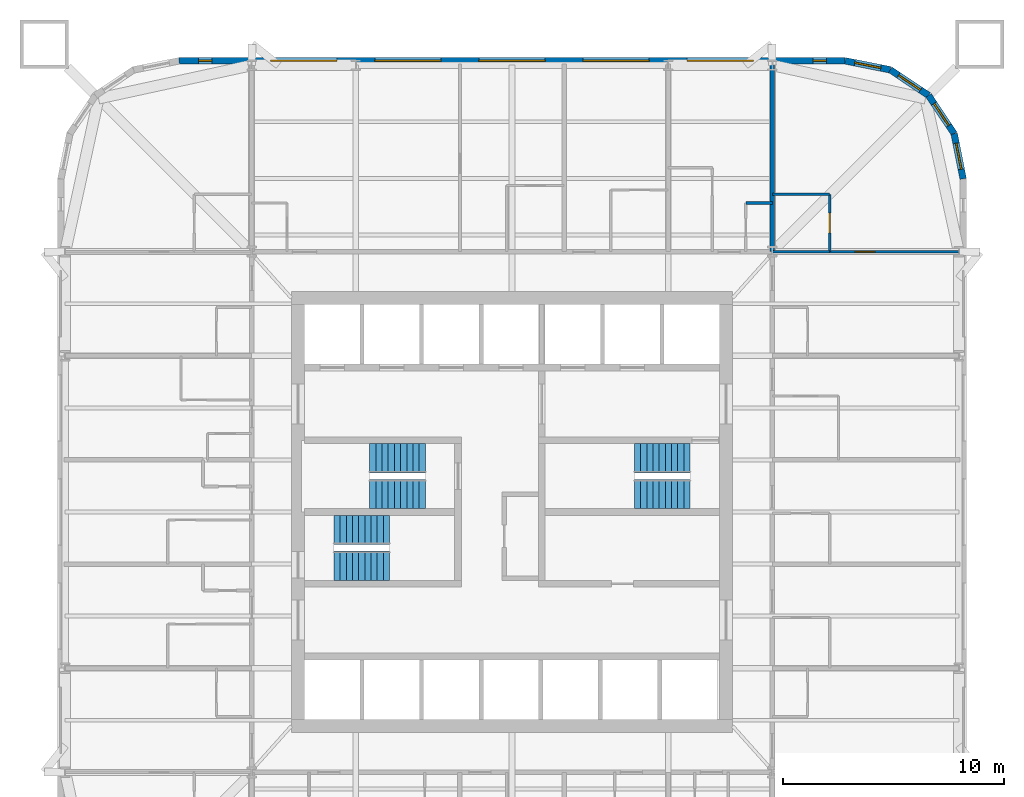
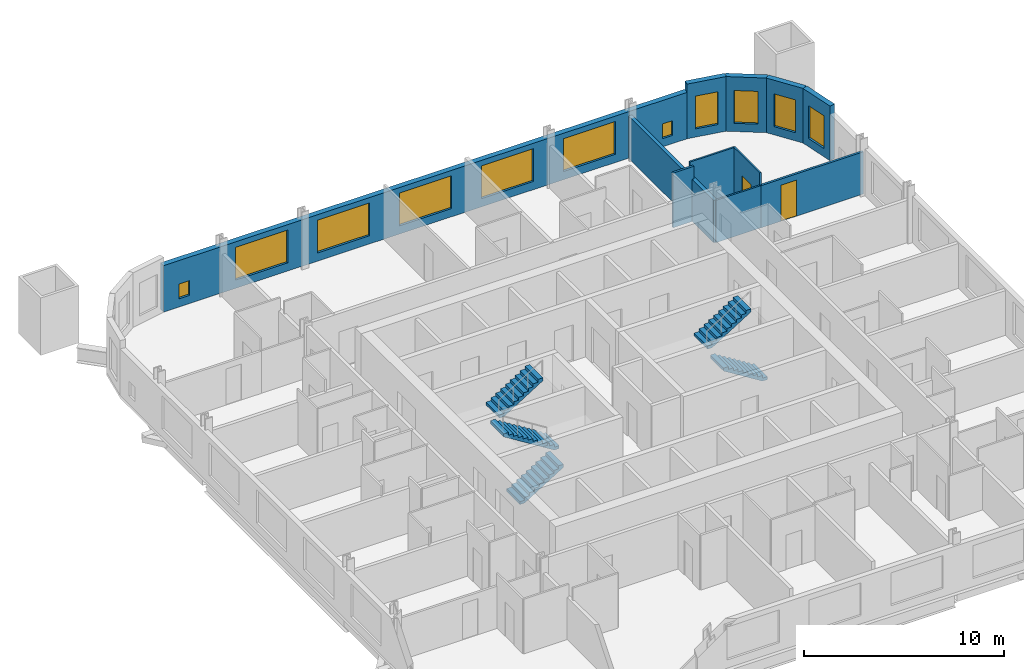
# One storey, part 8 of 9: 11 walls, 11 windows, 6 stair flights, 2 doors, 13 openings, 3 elements without a shape of their own.
"""IFC4 building model written with IfcOpenShell, lengths in metres."""

from ifc_helpers import new_model, si_unit, direction, frame, frame_2d, origin, place, context, subcontext, project, spatial, polyline, rectangle, outline, extrude, material, layer, layer_set, type_object, element, fill, aggregate, save


model = new_model("IFC4")

# Units and contexts
model_context = context("Model", 3, precision=1e-05, world=origin(), true_north=direction((0.0, 1.0)))
body_context = subcontext(model_context, "Body", "Model", "MODEL_VIEW")
ifc_project = project(units=[si_unit("LENGTHUNIT", "METRE"), si_unit("AREAUNIT", "SQUARE_METRE"), si_unit("VOLUMEUNIT", "CUBIC_METRE"), si_unit("PLANEANGLEUNIT", "RADIAN"), si_unit("MASSUNIT", "GRAM", prefix="KILO")], contexts=[model_context])

# Site, building, storey
site_placement = place(None, origin())
site = spatial("IfcSite", under=ifc_project, at=site_placement, CompositionType="ELEMENT")
building_placement = place(site_placement, origin())
building = spatial("IfcBuilding", under=site, at=building_placement, Name="Turquesa Mirador Hotel Tower", CompositionType="ELEMENT")
storey_placement = place(building_placement, frame((0.0, 0.0, 142.39990234375)))
storey = spatial("IfcBuildingStorey", under=building, at=storey_placement, Name="L38", CompositionType="ELEMENT", Elevation=142.39990234375)

# Walls
ifc_material_1 = material(Name="Gypsum board on steel studs", Category="steel")
ifc_layer_1 = layer(ifc_material_1, 0.10009765625)
ifc_layer_set_1 = layer_set([ifc_layer_1], Name="BATHROOM WALL 100")
wall_type_1 = type_object("IfcWallType", Name="BATHROOM WALL 100", PredefinedType="PARTITIONING", material=ifc_layer_set_1)
wall_1_placement = place(storey_placement, frame((66.800048828125, 56.800048828125, 0.0), z_axis=(0.0, 0.0, 1.0), x_axis=(1.0, 0.0, 0.0)))
element("IfcWall", 1, at=wall_1_placement, inside=storey, type_object=wall_type_1, Name="Partition L38 027", PredefinedType="PARTITIONING", context=body_context, shape_type="SweptSolid", body=[
    extrude(rectangle(XDim=2.599853515625, YDim=0.10009765625, at=frame_2d((1.2998046875, 0.0))), origin(), (0.0, 0.0, 1.0), 2.5732421875),
])
wall_2_placement = place(storey_placement, frame((66.800048828125, 59.39990234375, 0.0), z_axis=(0.0, 0.0, 1.0), x_axis=(1.0, 0.0, 0.0)))
element("IfcWall", 2, at=wall_2_placement, inside=storey, type_object=wall_type_1, Name="Partition L38 034", PredefinedType="PARTITIONING", context=body_context, shape_type="SweptSolid", body=[
    extrude(rectangle(XDim=2.599853515625, YDim=0.10009765625, at=frame_2d((1.2998046875, 0.0))), origin(), (0.0, 0.0, 1.0), 3.330078125),
])

# Wall, opening, door
wall_3_placement = place(storey_placement, frame((69.39990234375, 56.800048828125, 0.0), z_axis=(0.0, 0.0, 1.0), x_axis=(0.0, 1.0, 0.0)))
wall_3 = element("IfcWall", 3, at=wall_3_placement, inside=storey, type_object=wall_type_1, Name="Partition L38 077", PredefinedType="PARTITIONING", context=body_context, shape_type="SweptSolid", body=[
    extrude(rectangle(XDim=2.599853515625, YDim=0.10009765625, at=frame_2d((1.2998046875, 0.0))), origin(), (0.0, 0.0, 1.0), 3.330078125),
])
opening_1_placement = place(wall_3_placement, frame((0.85009765625, 0.0, 0.0)))
opening_1 = element("IfcOpeningElement", 4, at=opening_1_placement, cuts=wall_3, Name="Opening D02", PredefinedType="OPENING", context=body_context, shape_type="SweptSolid", body=[
    extrude(rectangle(XDim=0.89990234375, YDim=2.10009765625, at=frame_2d((0.449951171875, 1.050048828125))), frame((0.0, 0.06005859375, 0.0), z_axis=(0.0, -1.0, 0.0), x_axis=(1.0, 0.0, 0.0)), (0.0, 0.0, 1.0), 0.1201171875),
])
ifc_material_2 = material(Name="Timber veneered door", Category="wood")
door_type_1 = type_object("IfcDoorType", Name="DOOR 900X2100 EN-SUITE", OperationType="SINGLE_SWING_RIGHT", PredefinedType="DOOR", material=ifc_material_2)
door_1_placement = place(opening_1_placement, origin())
door_1 = element("IfcDoor", 5, at=door_1_placement, inside=storey, type_object=door_type_1, Name="Door 3814B", OperationType="SINGLE_SWING_RIGHT", OverallHeight=2.10009765625, OverallWidth=0.89990234375, PredefinedType="DOOR", context=body_context, shape_type="SweptSolid", body=[
    extrude(rectangle(XDim=0.89990234375, YDim=2.10009765625, at=frame_2d((0.449951171875, 1.050048828125))), frame((0.0, 0.02490234375, 0.0), z_axis=(0.0, -1.0, 0.0), x_axis=(1.0, 0.0, 0.0)), (0.0, 0.0, 1.0), 0.050048828125),
])
fill(opening_1, door_1)

# Wall, opening, window
ifc_material_3 = material(Name="Limestone cladding on concrete block", Category="masonry")
ifc_layer_2 = layer(ifc_material_3, 0.300048828125)
ifc_layer_set_2 = layer_set([ifc_layer_2], Name="FACADE WALL 300 STONE SCREEN")
wall_type_2 = type_object("IfcWallType", Name="FACADE WALL 300 STONE SCREEN", PredefinedType="SOLIDWALL", material=ifc_layer_set_2)
wall_4_placement = place(storey_placement, frame((75.449951171875, 60.10009765625, 0.0), z_axis=(0.0, 0.0, 1.0), x_axis=(-0.195081421501, 0.980787050784, 0.0)))
wall_4 = element("IfcWall", 6, at=wall_4_placement, inside=storey, type_object=wall_type_2, Name="Facade wall L38 05", PredefinedType="SOLIDWALL", context=body_context, shape_type="SweptSolid", body=[
    extrude(rectangle(XDim=2.08740234375, YDim=0.300048828125, at=frame_2d((1.043701171875, 0.0))), origin(), (0.0, 0.0, 1.0), 3.330078125),
])
opening_2_placement = place(wall_4_placement, frame((0.443603515625, 0.0, 0.5)))
opening_2 = element("IfcOpeningElement", 7, at=opening_2_placement, cuts=wall_4, Name="Opening WN4", PredefinedType="OPENING", context=body_context, shape_type="SweptSolid", body=[
    extrude(rectangle(XDim=1.199951171875, YDim=2.0, at=frame_2d((0.60009765625, 1.0))), frame((0.0, 0.159912109375, 0.0), z_axis=(0.0, -1.0, 0.0), x_axis=(1.0, 0.0, 0.0)), (0.0, 0.0, 1.0), 0.320068359375),
])
ifc_material_4 = material(Name="Ceramic-fritted laminated glass", Category="glass")
window_type_1 = type_object("IfcWindowType", Name="FRITTED CORNER WINDOW 1200X2000", PartitioningType="DOUBLE_PANEL_HORIZONTAL", PredefinedType="WINDOW", material=ifc_material_4)
window_1_placement = place(opening_2_placement, origin())
window_1 = element("IfcWindow", 8, at=window_1_placement, inside=storey, type_object=window_type_1, Name="Window L38", OverallHeight=2.0, OverallWidth=1.199951171875, PartitioningType="SINGLE_PANEL", PredefinedType="WINDOW", context=body_context, shape_type="SweptSolid", body=[
    extrude(rectangle(XDim=1.199951171875, YDim=2.0, at=frame_2d((0.60009765625, 1.0))), frame((0.0, 0.030029296875, 0.0), z_axis=(0.0, -1.0, 0.0), x_axis=(1.0, 0.0, 0.0)), (0.0, 0.0, 1.0), 0.06005859375),
])
fill(opening_2, window_1)

wall_5_placement = place(storey_placement, frame((75.042724609375, 62.1474609375, 0.0), z_axis=(0.0, 0.0, 1.0), x_axis=(-0.555563607591, 0.831474039234, 0.0)))
wall_5 = element("IfcWall", 9, at=wall_5_placement, inside=storey, type_object=wall_type_2, Name="Facade wall L38 06", PredefinedType="SOLIDWALL", context=body_context, shape_type="SweptSolid", body=[
    extrude(rectangle(XDim=2.08740234375, YDim=0.300048828125, at=frame_2d((1.043701171875, 0.0))), origin(), (0.0, 0.0, 1.0), 3.330078125),
])
opening_3_placement = place(wall_5_placement, frame((0.443603515625, 0.0, 0.5)))
opening_3 = element("IfcOpeningElement", 10, at=opening_3_placement, cuts=wall_5, Name="Opening WN4", PredefinedType="OPENING", context=body_context, shape_type="SweptSolid", body=[
    extrude(rectangle(XDim=1.199951171875, YDim=2.0, at=frame_2d((0.60009765625, 1.0))), frame((0.0, 0.159912109375, 0.0), z_axis=(0.0, -1.0, 0.0), x_axis=(1.0, 0.0, 0.0)), (0.0, 0.0, 1.0), 0.320068359375),
])
window_2_placement = place(opening_3_placement, origin())
window_2 = element("IfcWindow", 11, at=window_2_placement, inside=storey, type_object=window_type_1, Name="Window L38", OverallHeight=2.0, OverallWidth=1.199951171875, PartitioningType="SINGLE_PANEL", PredefinedType="WINDOW", context=body_context, shape_type="SweptSolid", body=[
    extrude(rectangle(XDim=1.199951171875, YDim=2.0, at=frame_2d((0.60009765625, 1.0))), frame((0.0, 0.030029296875, 0.0), z_axis=(0.0, -1.0, 0.0), x_axis=(1.0, 0.0, 0.0)), (0.0, 0.0, 1.0), 0.06005859375),
])
fill(opening_3, window_2)

wall_6_placement = place(storey_placement, frame((73.883056640625, 63.883056640625, 0.0), z_axis=(0.0, 0.0, 1.0), x_axis=(-0.831474039234, 0.555563607591, 0.0)))
wall_6 = element("IfcWall", 12, at=wall_6_placement, inside=storey, type_object=wall_type_2, Name="Facade wall L38 07", PredefinedType="SOLIDWALL", context=body_context, shape_type="SweptSolid", body=[
    extrude(rectangle(XDim=2.08740234375, YDim=0.300048828125, at=frame_2d((1.043701171875, 0.0))), origin(), (0.0, 0.0, 1.0), 3.330078125),
])
opening_4_placement = place(wall_6_placement, frame((0.443603515625, 0.0, 0.5)))
opening_4 = element("IfcOpeningElement", 13, at=opening_4_placement, cuts=wall_6, Name="Opening WN4", PredefinedType="OPENING", context=body_context, shape_type="SweptSolid", body=[
    extrude(rectangle(XDim=1.199951171875, YDim=2.0, at=frame_2d((0.60009765625, 1.0))), frame((0.0, 0.159912109375, 0.0), z_axis=(0.0, -1.0, 0.0), x_axis=(1.0, 0.0, 0.0)), (0.0, 0.0, 1.0), 0.320068359375),
])
window_3_placement = place(opening_4_placement, origin())
window_3 = element("IfcWindow", 14, at=window_3_placement, inside=storey, type_object=window_type_1, Name="Window L38", OverallHeight=2.0, OverallWidth=1.199951171875, PartitioningType="SINGLE_PANEL", PredefinedType="WINDOW", context=body_context, shape_type="SweptSolid", body=[
    extrude(rectangle(XDim=1.199951171875, YDim=2.0, at=frame_2d((0.60009765625, 1.0))), frame((0.0, 0.030029296875, 0.0), z_axis=(0.0, -1.0, 0.0), x_axis=(1.0, 0.0, 0.0)), (0.0, 0.0, 1.0), 0.06005859375),
])
fill(opening_4, window_3)

wall_7_placement = place(storey_placement, frame((72.1474609375, 65.042724609375, 0.0), z_axis=(0.0, 0.0, 1.0), x_axis=(-0.980787050784, 0.195081421501, 0.0)))
wall_7 = element("IfcWall", 15, at=wall_7_placement, inside=storey, type_object=wall_type_2, Name="Facade wall L38 08", PredefinedType="SOLIDWALL", context=body_context, shape_type="SweptSolid", body=[
    extrude(rectangle(XDim=2.08740234375, YDim=0.300048828125, at=frame_2d((1.043701171875, 0.0))), origin(), (0.0, 0.0, 1.0), 3.330078125),
])
opening_5_placement = place(wall_7_placement, frame((0.443603515625, 0.0, 0.5)))
opening_5 = element("IfcOpeningElement", 16, at=opening_5_placement, cuts=wall_7, Name="Opening WN4", PredefinedType="OPENING", context=body_context, shape_type="SweptSolid", body=[
    extrude(rectangle(XDim=1.199951171875, YDim=2.0, at=frame_2d((0.60009765625, 1.0))), frame((0.0, 0.159912109375, 0.0), z_axis=(0.0, -1.0, 0.0), x_axis=(1.0, 0.0, 0.0)), (0.0, 0.0, 1.0), 0.320068359375),
])
window_4_placement = place(opening_5_placement, origin())
window_4 = element("IfcWindow", 17, at=window_4_placement, inside=storey, type_object=window_type_1, Name="Window L38", OverallHeight=2.0, OverallWidth=1.199951171875, PartitioningType="SINGLE_PANEL", PredefinedType="WINDOW", context=body_context, shape_type="SweptSolid", body=[
    extrude(rectangle(XDim=1.199951171875, YDim=2.0, at=frame_2d((0.60009765625, 1.0))), frame((0.0, 0.030029296875, 0.0), z_axis=(0.0, -1.0, 0.0), x_axis=(1.0, 0.0, 0.0)), (0.0, 0.0, 1.0), 0.06005859375),
])
fill(opening_5, window_4)

# Wall, openings, windows
wall_8_placement = place(storey_placement, frame((70.10009765625, 65.449951171875, 0.0), z_axis=(0.0, 0.0, 1.0), x_axis=(-1.0, 0.0, 0.0)))
wall_8 = element("IfcWall", 18, at=wall_8_placement, inside=storey, type_object=wall_type_2, Name="Facade wall L38 09", PredefinedType="SOLIDWALL", context=body_context, shape_type="SweptSolid", body=[
    extrude(rectangle(XDim=30.2001953125, YDim=0.300048828125, at=frame_2d((15.10009765625, 0.0))), origin(), (0.0, 0.0, 1.0), 2.830078125),
])
opening_6_placement = place(wall_8_placement, frame((0.85009765625, 0.0, 0.5)))
opening_6 = element("IfcOpeningElement", 19, at=opening_6_placement, cuts=wall_8, Name="Opening WN25", PredefinedType="OPENING", context=body_context, shape_type="SweptSolid", body=[
    extrude(rectangle(XDim=0.60009765625, YDim=0.89990234375, at=frame_2d((0.300048828125, 0.449951171875))), frame((0.0, 0.159912109375, 0.0), z_axis=(0.0, -1.0, 0.0), x_axis=(1.0, 0.0, 0.0)), (0.0, 0.0, 1.0), 0.320068359375),
])
opening_7_placement = place(wall_8_placement, frame((4.159912109375, 0.0, 0.5)))
opening_7 = element("IfcOpeningElement", 20, at=opening_7_placement, cuts=wall_8, Name="Opening WN1", PredefinedType="OPENING", context=body_context, shape_type="SweptSolid", body=[
    extrude(rectangle(XDim=3.0, YDim=2.0, at=frame_2d((1.5, 1.0))), frame((0.0, 0.159912109375, 0.0), z_axis=(0.0, -1.0, 0.0), x_axis=(1.0, 0.0, 0.0)), (0.0, 0.0, 1.0), 0.320068359375),
])
opening_8_placement = place(wall_8_placement, frame((8.8798828125, 0.0, 0.5)))
opening_8 = element("IfcOpeningElement", 21, at=opening_8_placement, cuts=wall_8, Name="Opening WN1", PredefinedType="OPENING", context=body_context, shape_type="SweptSolid", body=[
    extrude(rectangle(XDim=3.0, YDim=2.0, at=frame_2d((1.5, 1.0))), frame((0.0, 0.159912109375, 0.0), z_axis=(0.0, -1.0, 0.0), x_axis=(1.0, 0.0, 0.0)), (0.0, 0.0, 1.0), 0.320068359375),
])
opening_9_placement = place(wall_8_placement, frame((13.60009765625, 0.0, 0.5)))
opening_9 = element("IfcOpeningElement", 22, at=opening_9_placement, cuts=wall_8, Name="Opening WN1", PredefinedType="OPENING", context=body_context, shape_type="SweptSolid", body=[
    extrude(rectangle(XDim=3.0, YDim=2.0, at=frame_2d((1.5, 1.0))), frame((0.0, 0.159912109375, 0.0), z_axis=(0.0, -1.0, 0.0), x_axis=(1.0, 0.0, 0.0)), (0.0, 0.0, 1.0), 0.320068359375),
])
opening_10_placement = place(wall_8_placement, frame((18.320068359375, 0.0, 0.5)))
opening_10 = element("IfcOpeningElement", 23, at=opening_10_placement, cuts=wall_8, Name="Opening WN1", PredefinedType="OPENING", context=body_context, shape_type="SweptSolid", body=[
    extrude(rectangle(XDim=3.0, YDim=2.0, at=frame_2d((1.5, 1.0))), frame((0.0, 0.159912109375, 0.0), z_axis=(0.0, -1.0, 0.0), x_axis=(1.0, 0.0, 0.0)), (0.0, 0.0, 1.0), 0.320068359375),
])
opening_11_placement = place(wall_8_placement, frame((23.0400390625, 0.0, 0.5)))
opening_11 = element("IfcOpeningElement", 24, at=opening_11_placement, cuts=wall_8, Name="Opening WN1", PredefinedType="OPENING", context=body_context, shape_type="SweptSolid", body=[
    extrude(rectangle(XDim=3.0, YDim=2.0, at=frame_2d((1.5, 1.0))), frame((0.0, 0.159912109375, 0.0), z_axis=(0.0, -1.0, 0.0), x_axis=(1.0, 0.0, 0.0)), (0.0, 0.0, 1.0), 0.320068359375),
])
opening_12_placement = place(wall_8_placement, frame((28.699951171875, 0.0, 0.5)))
opening_12 = element("IfcOpeningElement", 25, at=opening_12_placement, cuts=wall_8, Name="Opening WN25", PredefinedType="OPENING", context=body_context, shape_type="SweptSolid", body=[
    extrude(rectangle(XDim=0.60009765625, YDim=0.89990234375, at=frame_2d((0.300048828125, 0.449951171875))), frame((0.0, 0.159912109375, 0.0), z_axis=(0.0, -1.0, 0.0), x_axis=(1.0, 0.0, 0.0)), (0.0, 0.0, 1.0), 0.320068359375),
])
ifc_material_5 = material(Name="Ceramic-fritted laminated glass", Category="glass")
window_type_2 = type_object("IfcWindowType", Name="FRITTED WINDOW 3000X2000", PartitioningType="DOUBLE_PANEL_HORIZONTAL", PredefinedType="WINDOW", material=ifc_material_5)
window_5_placement = place(opening_7_placement, origin())
window_5 = element("IfcWindow", 26, at=window_5_placement, inside=storey, type_object=window_type_2, Name="Window L38", OverallHeight=2.0, OverallWidth=3.0, PartitioningType="SINGLE_PANEL", PredefinedType="WINDOW", context=body_context, shape_type="SweptSolid", body=[
    extrude(rectangle(XDim=3.0, YDim=2.0, at=frame_2d((1.5, 1.0))), frame((0.0, 0.030029296875, 0.0), z_axis=(0.0, -1.0, 0.0), x_axis=(1.0, 0.0, 0.0)), (0.0, 0.0, 1.0), 0.06005859375),
])
fill(opening_7, window_5)
window_6_placement = place(opening_8_placement, origin())
window_6 = element("IfcWindow", 27, at=window_6_placement, inside=storey, type_object=window_type_2, Name="Window L38", OverallHeight=2.0, OverallWidth=3.0, PartitioningType="SINGLE_PANEL", PredefinedType="WINDOW", context=body_context, shape_type="SweptSolid", body=[
    extrude(rectangle(XDim=3.0, YDim=2.0, at=frame_2d((1.5, 1.0))), frame((0.0, 0.030029296875, 0.0), z_axis=(0.0, -1.0, 0.0), x_axis=(1.0, 0.0, 0.0)), (0.0, 0.0, 1.0), 0.06005859375),
])
fill(opening_8, window_6)
window_7_placement = place(opening_9_placement, origin())
window_7 = element("IfcWindow", 28, at=window_7_placement, inside=storey, type_object=window_type_2, Name="Window L38", OverallHeight=2.0, OverallWidth=3.0, PartitioningType="SINGLE_PANEL", PredefinedType="WINDOW", context=body_context, shape_type="SweptSolid", body=[
    extrude(rectangle(XDim=3.0, YDim=2.0, at=frame_2d((1.5, 1.0))), frame((0.0, 0.030029296875, 0.0), z_axis=(0.0, -1.0, 0.0), x_axis=(1.0, 0.0, 0.0)), (0.0, 0.0, 1.0), 0.06005859375),
])
fill(opening_9, window_7)
window_8_placement = place(opening_10_placement, origin())
window_8 = element("IfcWindow", 29, at=window_8_placement, inside=storey, type_object=window_type_2, Name="Window L38", OverallHeight=2.0, OverallWidth=3.0, PartitioningType="SINGLE_PANEL", PredefinedType="WINDOW", context=body_context, shape_type="SweptSolid", body=[
    extrude(rectangle(XDim=3.0, YDim=2.0, at=frame_2d((1.5, 1.0))), frame((0.0, 0.030029296875, 0.0), z_axis=(0.0, -1.0, 0.0), x_axis=(1.0, 0.0, 0.0)), (0.0, 0.0, 1.0), 0.06005859375),
])
fill(opening_10, window_8)
window_9_placement = place(opening_11_placement, origin())
window_9 = element("IfcWindow", 30, at=window_9_placement, inside=storey, type_object=window_type_2, Name="Window L38", OverallHeight=2.0, OverallWidth=3.0, PartitioningType="SINGLE_PANEL", PredefinedType="WINDOW", context=body_context, shape_type="SweptSolid", body=[
    extrude(rectangle(XDim=3.0, YDim=2.0, at=frame_2d((1.5, 1.0))), frame((0.0, 0.030029296875, 0.0), z_axis=(0.0, -1.0, 0.0), x_axis=(1.0, 0.0, 0.0)), (0.0, 0.0, 1.0), 0.06005859375),
])
fill(opening_11, window_9)
ifc_material_6 = material(Name="Ceramic-fritted laminated glass", Category="glass")
window_type_3 = type_object("IfcWindowType", Name="FRITTED WINDOW 600X900", PartitioningType="DOUBLE_PANEL_HORIZONTAL", PredefinedType="WINDOW", material=ifc_material_6)
window_10_placement = place(opening_6_placement, origin())
window_10 = element("IfcWindow", 31, at=window_10_placement, inside=storey, type_object=window_type_3, Name="Window L38", OverallHeight=0.89990234375, OverallWidth=0.60009765625, PartitioningType="SINGLE_PANEL", PredefinedType="WINDOW", context=body_context, shape_type="SweptSolid", body=[
    extrude(rectangle(XDim=0.60009765625, YDim=0.89990234375, at=frame_2d((0.300048828125, 0.449951171875))), frame((0.0, 0.030029296875, 0.0), z_axis=(0.0, -1.0, 0.0), x_axis=(1.0, 0.0, 0.0)), (0.0, 0.0, 1.0), 0.06005859375),
])
fill(opening_6, window_10)
window_11_placement = place(opening_12_placement, origin())
window_11 = element("IfcWindow", 32, at=window_11_placement, inside=storey, type_object=window_type_3, Name="Window L38", OverallHeight=0.89990234375, OverallWidth=0.60009765625, PartitioningType="SINGLE_PANEL", PredefinedType="WINDOW", context=body_context, shape_type="SweptSolid", body=[
    extrude(rectangle(XDim=0.60009765625, YDim=0.89990234375, at=frame_2d((0.300048828125, 0.449951171875))), frame((0.0, 0.030029296875, 0.0), z_axis=(0.0, -1.0, 0.0), x_axis=(1.0, 0.0, 0.0)), (0.0, 0.0, 1.0), 0.06005859375),
])
fill(opening_12, window_11)

# Wall
ifc_material_7 = material(Name="Fire-rated gypsum board on steel studs", Category="steel")
ifc_layer_3 = layer(ifc_material_7, 0.199951171875)
ifc_layer_set_3 = layer_set([ifc_layer_3], Name="PARTY WALL 200")
wall_type_3 = type_object("IfcWallType", Name="PARTY WALL 200", PredefinedType="PARTITIONING", material=ifc_layer_set_3)
wall_9_placement = place(storey_placement, frame((66.800048828125, 56.800048828125, 0.0), z_axis=(0.0, 0.0, 1.0), x_axis=(0.0, 1.0, 0.0)))
element("IfcWall", 33, at=wall_9_placement, inside=storey, type_object=wall_type_3, Name="Partition L38 071", PredefinedType="PARTITIONING", context=body_context, shape_type="SweptSolid", body=[
    extrude(rectangle(XDim=8.5, YDim=0.199951171875, at=frame_2d((4.25, 0.0))), origin(), (0.0, 0.0, 1.0), 2.5732421875),
])

# Wall, opening, door
ifc_material_8 = material(Name="Acoustic gypsum board on steel studs", Category="steel")
ifc_layer_4 = layer(ifc_material_8, 0.125)
ifc_layer_set_4 = layer_set([ifc_layer_4], Name="SUITE PARTITION 125")
wall_type_4 = type_object("IfcWallType", Name="SUITE PARTITION 125", PredefinedType="PARTITIONING", material=ifc_layer_set_4)
wall_10_placement = place(storey_placement, frame((69.39990234375, 56.800048828125, 0.0), z_axis=(0.0, 0.0, 1.0), x_axis=(1.0, 0.0, 0.0)))
wall_10 = element("IfcWall", 34, at=wall_10_placement, inside=storey, type_object=wall_type_4, Name="Partition L38 030", PredefinedType="PARTITIONING", context=body_context, shape_type="SweptSolid", body=[
    extrude(rectangle(XDim=5.900146484375, YDim=0.125, at=frame_2d((2.9501953125, 0.0))), origin(), (0.0, 0.0, 1.0), 2.5732421875),
])
opening_13_placement = place(wall_10_placement, frame((1.14990234375, 0.0, 0.0)))
opening_13 = element("IfcOpeningElement", 35, at=opening_13_placement, cuts=wall_10, Name="Opening D17", PredefinedType="OPENING", context=body_context, shape_type="SweptSolid", body=[
    extrude(rectangle(XDim=0.89990234375, YDim=2.199951171875, at=frame_2d((0.449951171875, 1.10009765625))), frame((0.0, 0.072509765625, 0.0), z_axis=(0.0, -1.0, 0.0), x_axis=(1.0, 0.0, 0.0)), (0.0, 0.0, 1.0), 0.14501953125),
])
ifc_material_9 = material(Name="Timber veneered door", Category="wood")
door_type_2 = type_object("IfcDoorType", Name="DOOR 900X2200 SUITE INTERNAL", OperationType="SINGLE_SWING_LEFT", PredefinedType="DOOR", material=ifc_material_9)
door_2_placement = place(opening_13_placement, origin())
door_2 = element("IfcDoor", 36, at=door_2_placement, inside=storey, type_object=door_type_2, Name="Door 3814R", OperationType="SINGLE_SWING_LEFT", OverallHeight=2.199951171875, OverallWidth=0.89990234375, PredefinedType="DOOR", context=body_context, shape_type="SweptSolid", body=[
    extrude(rectangle(XDim=0.89990234375, YDim=2.199951171875, at=frame_2d((0.449951171875, 1.10009765625))), frame((0.0, 0.02490234375, 0.0), z_axis=(0.0, -1.0, 0.0), x_axis=(1.0, 0.0, 0.0)), (0.0, 0.0, 1.0), 0.050048828125),
])
fill(opening_13, door_2)

# Wall
wall_11_placement = place(storey_placement, frame((65.60009765625, 59.0, 0.0), z_axis=(0.0, 0.0, 1.0), x_axis=(1.0, 0.0, 0.0)))
element("IfcWall", 37, at=wall_11_placement, inside=storey, type_object=wall_type_4, Name="Partition L38 032", PredefinedType="PARTITIONING", context=body_context, shape_type="SweptSolid", body=[
    extrude(rectangle(XDim=1.199951171875, YDim=0.125, at=frame_2d((0.60009765625, 0.0))), origin(), (0.0, 0.0, 1.0), 3.330078125),
])

# Stair, stair flights
ifc_material_10 = material(Name="Concrete C35/45", Category="concrete")
stair_type = type_object("IfcStairType", Name="ESCAPE STAIR CORE", PredefinedType="HALF_TURN_STAIR", material=ifc_material_10)
stair_1_placement = place(storey_placement, origin())
stair_1 = element("IfcStair", 38, at=stair_1_placement, inside=storey, type_object=stair_type, Name="Stair ST1 L38 to L39", PredefinedType="HALF_TURN_STAIR")
ifc_material_11 = material(Name="Concrete C35/45 precast flight", Category="concrete")
stair_flight_type = type_object("IfcStairFlightType", Name="STAIR FLIGHT 1330", PredefinedType="STRAIGHT", material=ifc_material_11)
stair_flight_1_placement = place(storey_placement, frame((51.070068359375, 45.81494140625, 0.0), z_axis=(0.0, 0.0, 1.0), x_axis=(-1.0, 0.0, 0.0)))
stair_flight_1 = element("IfcStairFlight", 39, at=stair_flight_1_placement, type_object=stair_flight_type, Name="ST1 flight 1", NumberOfRisers=10, NumberOfTreads=9, PredefinedType="STRAIGHT", RiserHeight=0.175, TreadLength=0.28, context=body_context, shape_type="SweptSolid", body=[
    extrude(outline(polyline([(0.0, 0.0), (0.0, 0.175048828125), (0.280029296875, 0.175048828125), (0.280029296875, 0.35009765625), (0.56005859375, 0.35009765625), (0.56005859375, 0.52490234375), (0.840087890625, 0.52490234375), (0.840087890625, 0.699951171875), (1.1201171875, 0.699951171875), (1.1201171875, 0.875), (1.39990234375, 0.875), (1.39990234375, 1.050048828125), (1.679931640625, 1.050048828125), (1.679931640625, 1.22509765625), (1.9599609375, 1.22509765625), (1.9599609375, 1.39990234375), (2.239990234375, 1.39990234375), (2.239990234375, 1.574951171875), (2.52001953125, 1.574951171875), (2.52001953125, 1.75), (2.52001953125, 1.398193359375), (0.28271484375, 0.0), (0.0, 0.0)])), frame((0.0, 0.6650390625, 0.0), z_axis=(0.0, -1.0, 0.0), x_axis=(1.0, 0.0, 0.0)), (0.0, 0.0, 1.0), 1.330078125),
])
stair_flight_2_placement = place(storey_placement, frame((48.550048828125, 47.43505859375, 1.75), z_axis=(0.0, 0.0, 1.0), x_axis=(1.0, 0.0, 0.0)))
stair_flight_2 = element("IfcStairFlight", 40, at=stair_flight_2_placement, type_object=stair_flight_type, Name="ST1 flight 2", NumberOfRisers=10, NumberOfTreads=9, PredefinedType="STRAIGHT", RiserHeight=0.175, TreadLength=0.28, context=body_context, shape_type="SweptSolid", body=[
    extrude(outline(polyline([(0.0, 0.0), (0.0, 0.175048828125), (0.280029296875, 0.175048828125), (0.280029296875, 0.35009765625), (0.56005859375, 0.35009765625), (0.56005859375, 0.52490234375), (0.840087890625, 0.52490234375), (0.840087890625, 0.699951171875), (1.1201171875, 0.699951171875), (1.1201171875, 0.875), (1.39990234375, 0.875), (1.39990234375, 1.050048828125), (1.679931640625, 1.050048828125), (1.679931640625, 1.22509765625), (1.9599609375, 1.22509765625), (1.9599609375, 1.39990234375), (2.239990234375, 1.39990234375), (2.239990234375, 1.574951171875), (2.52001953125, 1.574951171875), (2.52001953125, 1.75), (2.52001953125, 1.398193359375), (0.28271484375, 0.0), (0.0, 0.0)])), frame((0.0, 0.6650390625, 0.0), z_axis=(0.0, -1.0, 0.0), x_axis=(1.0, 0.0, 0.0)), (0.0, 0.0, 1.0), 1.330078125),
])
aggregate(stair_1, [stair_flight_1, stair_flight_2])

stair_2_placement = place(storey_placement, origin())
stair_2 = element("IfcStair", 41, at=stair_2_placement, inside=storey, type_object=stair_type, Name="Stair ST2 L38 to L39", PredefinedType="HALF_TURN_STAIR")
stair_flight_3_placement = place(storey_placement, frame((46.929931640625, 42.56494140625, 0.0), z_axis=(0.0, 0.0, 1.0), x_axis=(1.0, 0.0, 0.0)))
stair_flight_3 = element("IfcStairFlight", 42, at=stair_flight_3_placement, type_object=stair_flight_type, Name="ST2 flight 1", NumberOfRisers=10, NumberOfTreads=9, PredefinedType="STRAIGHT", RiserHeight=0.175, TreadLength=0.28, context=body_context, shape_type="SweptSolid", body=[
    extrude(outline(polyline([(0.0, 0.0), (0.0, 0.175048828125), (0.280029296875, 0.175048828125), (0.280029296875, 0.35009765625), (0.56005859375, 0.35009765625), (0.56005859375, 0.52490234375), (0.840087890625, 0.52490234375), (0.840087890625, 0.699951171875), (1.1201171875, 0.699951171875), (1.1201171875, 0.875), (1.39990234375, 0.875), (1.39990234375, 1.050048828125), (1.679931640625, 1.050048828125), (1.679931640625, 1.22509765625), (1.9599609375, 1.22509765625), (1.9599609375, 1.39990234375), (2.239990234375, 1.39990234375), (2.239990234375, 1.574951171875), (2.52001953125, 1.574951171875), (2.52001953125, 1.75), (2.52001953125, 1.398193359375), (0.28271484375, 0.0), (0.0, 0.0)])), frame((0.0, 0.6650390625, 0.0), z_axis=(0.0, -1.0, 0.0), x_axis=(1.0, 0.0, 0.0)), (0.0, 0.0, 1.0), 1.330078125),
])
stair_flight_4_placement = place(storey_placement, frame((49.449951171875, 44.18505859375, 1.75), z_axis=(0.0, 0.0, 1.0), x_axis=(-1.0, 0.0, 0.0)))
stair_flight_4 = element("IfcStairFlight", 43, at=stair_flight_4_placement, type_object=stair_flight_type, Name="ST2 flight 2", NumberOfRisers=10, NumberOfTreads=9, PredefinedType="STRAIGHT", RiserHeight=0.175, TreadLength=0.28, context=body_context, shape_type="SweptSolid", body=[
    extrude(outline(polyline([(0.0, 0.0), (0.0, 0.175048828125), (0.280029296875, 0.175048828125), (0.280029296875, 0.35009765625), (0.56005859375, 0.35009765625), (0.56005859375, 0.52490234375), (0.840087890625, 0.52490234375), (0.840087890625, 0.699951171875), (1.1201171875, 0.699951171875), (1.1201171875, 0.875), (1.39990234375, 0.875), (1.39990234375, 1.050048828125), (1.679931640625, 1.050048828125), (1.679931640625, 1.22509765625), (1.9599609375, 1.22509765625), (1.9599609375, 1.39990234375), (2.239990234375, 1.39990234375), (2.239990234375, 1.574951171875), (2.52001953125, 1.574951171875), (2.52001953125, 1.75), (2.52001953125, 1.398193359375), (0.28271484375, 0.0), (0.0, 0.0)])), frame((0.0, 0.6650390625, 0.0), z_axis=(0.0, -1.0, 0.0), x_axis=(1.0, 0.0, 0.0)), (0.0, 0.0, 1.0), 1.330078125),
])
aggregate(stair_2, [stair_flight_3, stair_flight_4])

stair_3_placement = place(storey_placement, origin())
stair_3 = element("IfcStair", 44, at=stair_3_placement, inside=storey, type_object=stair_type, Name="Stair ST3 L38 to L39", PredefinedType="HALF_TURN_STAIR")
stair_flight_5_placement = place(storey_placement, frame((63.070068359375, 45.81494140625, 0.0), z_axis=(0.0, 0.0, 1.0), x_axis=(-1.0, 0.0, 0.0)))
stair_flight_5 = element("IfcStairFlight", 45, at=stair_flight_5_placement, type_object=stair_flight_type, Name="ST3 flight 1", NumberOfRisers=10, NumberOfTreads=9, PredefinedType="STRAIGHT", RiserHeight=0.175, TreadLength=0.28, context=body_context, shape_type="SweptSolid", body=[
    extrude(outline(polyline([(0.0, 0.0), (0.0, 0.175048828125), (0.280029296875, 0.175048828125), (0.280029296875, 0.35009765625), (0.56005859375, 0.35009765625), (0.56005859375, 0.52490234375), (0.840087890625, 0.52490234375), (0.840087890625, 0.699951171875), (1.1201171875, 0.699951171875), (1.1201171875, 0.875), (1.39990234375, 0.875), (1.39990234375, 1.050048828125), (1.679931640625, 1.050048828125), (1.679931640625, 1.22509765625), (1.9599609375, 1.22509765625), (1.9599609375, 1.39990234375), (2.239990234375, 1.39990234375), (2.239990234375, 1.574951171875), (2.52001953125, 1.574951171875), (2.52001953125, 1.75), (2.52001953125, 1.398193359375), (0.28271484375, 0.0), (0.0, 0.0)])), frame((0.0, 0.6650390625, 0.0), z_axis=(0.0, -1.0, 0.0), x_axis=(1.0, 0.0, 0.0)), (0.0, 0.0, 1.0), 1.330078125),
])
stair_flight_6_placement = place(storey_placement, frame((60.550048828125, 47.43505859375, 1.75), z_axis=(0.0, 0.0, 1.0), x_axis=(1.0, 0.0, 0.0)))
stair_flight_6 = element("IfcStairFlight", 46, at=stair_flight_6_placement, type_object=stair_flight_type, Name="ST3 flight 2", NumberOfRisers=10, NumberOfTreads=9, PredefinedType="STRAIGHT", RiserHeight=0.175, TreadLength=0.28, context=body_context, shape_type="SweptSolid", body=[
    extrude(outline(polyline([(0.0, 0.0), (0.0, 0.175048828125), (0.280029296875, 0.175048828125), (0.280029296875, 0.35009765625), (0.56005859375, 0.35009765625), (0.56005859375, 0.52490234375), (0.840087890625, 0.52490234375), (0.840087890625, 0.699951171875), (1.1201171875, 0.699951171875), (1.1201171875, 0.875), (1.39990234375, 0.875), (1.39990234375, 1.050048828125), (1.679931640625, 1.050048828125), (1.679931640625, 1.22509765625), (1.9599609375, 1.22509765625), (1.9599609375, 1.39990234375), (2.239990234375, 1.39990234375), (2.239990234375, 1.574951171875), (2.52001953125, 1.574951171875), (2.52001953125, 1.75), (2.52001953125, 1.398193359375), (0.28271484375, 0.0), (0.0, 0.0)])), frame((0.0, 0.6650390625, 0.0), z_axis=(0.0, -1.0, 0.0), x_axis=(1.0, 0.0, 0.0)), (0.0, 0.0, 1.0), 1.330078125),
])
aggregate(stair_3, [stair_flight_5, stair_flight_6])

save(model, "model.ifc")
